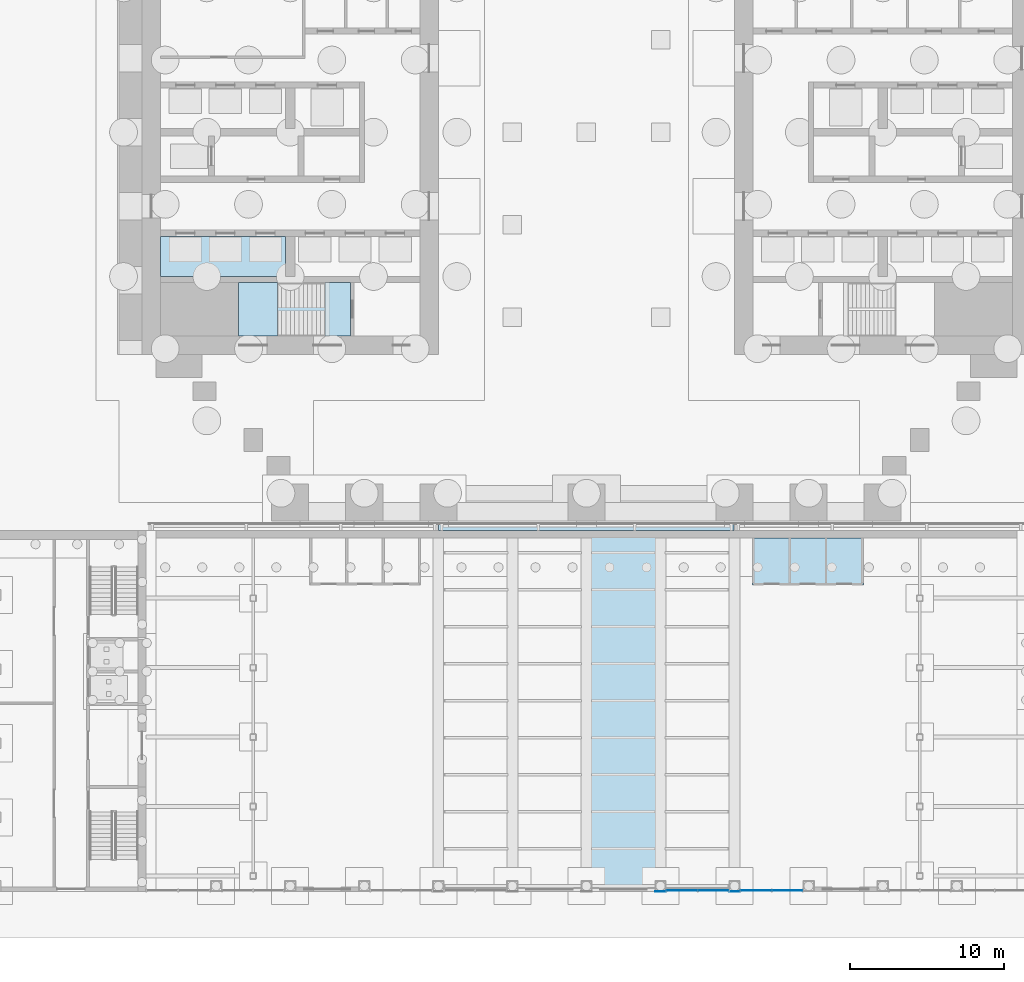
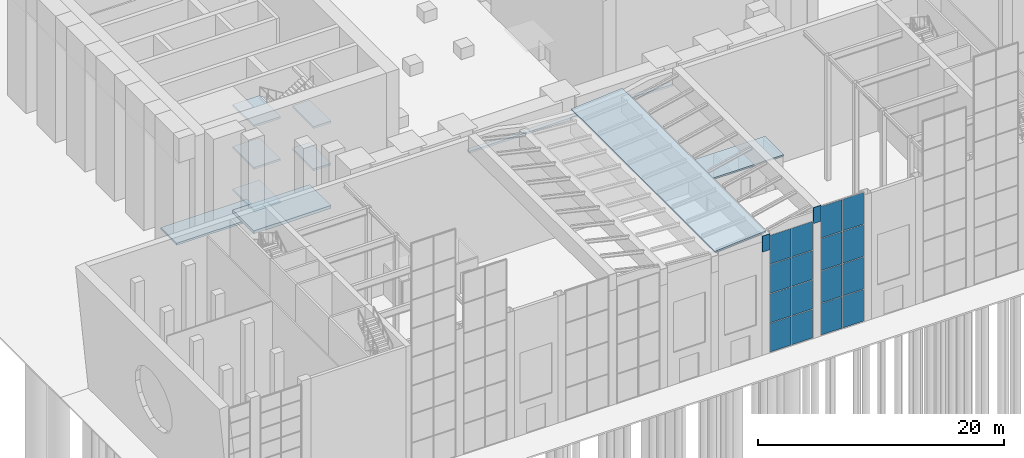
# One storey, part 41 of 58: 18 plates, 10 slabs, 3 elements without a shape of their own.
"""IFC4 building model written with IfcOpenShell, lengths in metres."""

from ifc_helpers import new_model, si_unit, direction, frame, origin, origin_2d, place, context, subcontext, project, spatial, polyline, rectangle, outline, extrude, material, layer, layer_set, type_object, element, aggregate, save


model = new_model("IFC4")

# Units and contexts
model_context = context("Model", 3, precision=1e-05, world=origin(), true_north=direction((0.0, 1.0)))
body_context = subcontext(model_context, "Body", "Model", "MODEL_VIEW")
ifc_project = project(units=[si_unit("LENGTHUNIT", "METRE"), si_unit("AREAUNIT", "SQUARE_METRE"), si_unit("VOLUMEUNIT", "CUBIC_METRE"), si_unit("PLANEANGLEUNIT", "RADIAN"), si_unit("MASSUNIT", "GRAM", prefix="KILO")], contexts=[model_context])

# Site, building, storey
site_placement = place(None, origin())
site = spatial("IfcSite", under=ifc_project, at=site_placement, CompositionType="ELEMENT")
building_placement = place(site_placement, origin())
building = spatial("IfcBuilding", under=site, at=building_placement, Name="Baori Bourse Tower", CompositionType="ELEMENT")
storey_placement = place(building_placement, origin())
storey = spatial("IfcBuildingStorey", under=building, at=storey_placement, Name="L00", CompositionType="ELEMENT", Elevation=0.0)

# Slab
ifc_material_1 = material(Name="Concrete f'c 50 MPa", Category="concrete")
ifc_layer_1 = layer(ifc_material_1, 0.300048828125)
ifc_layer_set_1 = layer_set([ifc_layer_1], Name="Core ground slab 300")
slab_type_1 = type_object("IfcSlabType", Name="Core ground slab 300", PredefinedType="BASESLAB", material=ifc_layer_set_1)
slab_1_placement = place(storey_placement, frame((0.0, 0.0, -0.300048828125)))
element("IfcSlab", 1, at=slab_1_placement, inside=storey, type_object=slab_type_1, Name="Core ground slab W01", PredefinedType="BASESLAB", context=body_context, shape_type="SweptSolid", body=[
    extrude(outline(polyline([(6.25, 14.25), (6.25, 10.800048828125), (13.5, 10.800048828125), (13.5, 14.25), (6.25, 14.25)])), origin(), (0.0, 0.0, 1.0), 0.300048828125),
])

# Stair, slabs
ifc_material_2 = material(Name="Concrete f'c 50 MPa", Category="concrete")
stair_type = type_object("IfcStairType", Name="Core stair", PredefinedType="HALF_TURN_STAIR", material=ifc_material_2)
stair_placement = place(storey_placement, origin())
stair = element("IfcStair", 2, at=stair_placement, inside=storey, type_object=stair_type, Name="L00 Stair WA", PredefinedType="HALF_TURN_STAIR")
ifc_material_3 = material(Name="Concrete f'c 50 MPa", Category="concrete")
slab_type_2 = type_object("IfcSlabType", Name="Core stair landing", PredefinedType="LANDING", material=ifc_material_3)
slab_2_placement = place(storey_placement, frame((0.0, 0.0, 1.89990234375)))
slab_2 = element("IfcSlab", 3, at=slab_2_placement, type_object=slab_type_2, Name="ST1 landing 1", PredefinedType="LANDING", context=body_context, shape_type="SweptSolid", body=[
    extrude(outline(polyline([(8.77001953125, 14.25), (6.25, 14.25), (6.25, 10.800048828125), (8.77001953125, 10.800048828125), (8.77001953125, 14.25)])), origin(), (0.0, 0.0, 1.0), 0.2001953125),
])
slab_3_placement = place(storey_placement, frame((0.0, 0.0, 4.0)))
slab_3 = element("IfcSlab", 4, at=slab_3_placement, type_object=slab_type_2, Name="ST1 landing 2", PredefinedType="LANDING", context=body_context, shape_type="SweptSolid", body=[
    extrude(outline(polyline([(13.5, 14.25), (11.85009765625, 14.25), (11.85009765625, 10.800048828125), (13.5, 10.800048828125), (13.5, 14.25)])), origin(), (0.0, 0.0, 1.0), 0.199951171875),
])
slab_4_placement = place(storey_placement, frame((0.0, 0.0, 6.10009765625)))
slab_4 = element("IfcSlab", 5, at=slab_4_placement, type_object=slab_type_2, Name="ST1 landing 3", PredefinedType="LANDING", context=body_context, shape_type="SweptSolid", body=[
    extrude(outline(polyline([(8.77001953125, 14.25), (6.25, 14.25), (6.25, 10.800048828125), (8.77001953125, 10.800048828125), (8.77001953125, 14.25)])), origin(), (0.0, 0.0, 1.0), 0.199951171875),
])
slab_5_placement = place(storey_placement, frame((0.0, 0.0, 8.199951171875)))
slab_5 = element("IfcSlab", 6, at=slab_5_placement, type_object=slab_type_2, Name="ST1 landing 4", PredefinedType="LANDING", context=body_context, shape_type="SweptSolid", body=[
    extrude(outline(polyline([(13.5, 14.25), (11.85009765625, 14.25), (11.85009765625, 10.800048828125), (13.5, 10.800048828125), (13.5, 14.25)])), origin(), (0.0, 0.0, 1.0), 0.199951171875),
])
slab_6_placement = place(storey_placement, frame((0.0, 0.0, 10.300048828125)))
slab_6 = element("IfcSlab", 7, at=slab_6_placement, type_object=slab_type_2, Name="ST1 landing 5", PredefinedType="LANDING", context=body_context, shape_type="SweptSolid", body=[
    extrude(outline(polyline([(8.77001953125, 14.25), (6.25, 14.25), (6.25, 10.800048828125), (8.77001953125, 10.800048828125), (8.77001953125, 14.25)])), origin(), (0.0, 0.0, 1.0), 0.199951171875),
])
aggregate(stair, [slab_2, slab_3, slab_4, slab_5, slab_6])

# Slab
ifc_material_4 = material(Name="Concrete f'c 40 MPa", Category="concrete")
ifc_layer_2 = layer(ifc_material_4, 0.199951171875)
ifc_layer_set_2 = layer_set([ifc_layer_2], Name="Entrance canopy slab 200")
slab_type_3 = type_object("IfcSlabType", Name="Entrance canopy slab 200", PredefinedType="ROOF", material=ifc_layer_set_2)
slab_7_placement = place(storey_placement, frame((0.0, 0.0, 10.800048828125)))
element("IfcSlab", 8, at=slab_7_placement, inside=storey, type_object=slab_type_3, Name="Canopy 2", PredefinedType="ROOF", context=body_context, shape_type="SweptSolid", body=[
    extrude(outline(polyline([(19.22509765625, -1.800048828125), (38.375, -1.800048828125), (38.375, -1.39990234375), (19.22509765625, -1.39990234375), (19.22509765625, -1.800048828125)])), origin(), (0.0, 0.0, 1.0), 0.199951171875),
])

# Plates
ifc_material_5 = material(Name="Steel A572 Gr 50", Category="steel")
ifc_layer_3 = layer(ifc_material_5, 0.030029296875)
ifc_layer_set_3 = layer_set([ifc_layer_3], Name="Girder end plate 30")
plate_type_1 = type_object("IfcPlateType", Name="Girder end plate 30", PredefinedType="SHEET", material=ifc_layer_set_3)
plate_1_placement = place(storey_placement, frame((0.0, 0.0, 10.2734375)))
element("IfcPlate", 9, at=plate_1_placement, inside=storey, type_object=plate_type_1, Name="Girder end plate", PredefinedType="SHEET", context=body_context, shape_type="SweptSolid", body=[
    extrude(outline(polyline([(33.25, -25.22998046875), (33.949951171875, -25.22998046875), (33.949951171875, -25.199951171875), (33.25, -25.199951171875), (33.25, -25.22998046875)])), origin(), (0.0, 0.0, 1.0), 1.60009765625),
])
plate_2_placement = place(storey_placement, frame((0.0, 0.0, 11.42919921875)))
element("IfcPlate", 10, at=plate_2_placement, inside=storey, type_object=plate_type_1, Name="Girder end plate", PredefinedType="SHEET", context=body_context, shape_type="SweptSolid", body=[
    extrude(outline(polyline([(38.050048828125, -25.22998046875), (38.75, -25.22998046875), (38.75, -25.199951171875), (38.050048828125, -25.199951171875), (38.050048828125, -25.22998046875)])), origin(), (0.0, 0.0, 1.0), 1.60009765625),
])

# Slabs
ifc_material_6 = material(Name="Concrete f'c 40 MPa", Category="concrete")
ifc_layer_4 = layer(ifc_material_6, 0.14990234375)
ifc_layer_set_4 = layer_set([ifc_layer_4], Name="Hall roof deck 150")
slab_type_4 = type_object("IfcSlabType", Name="Hall roof deck 150", PredefinedType="ROOF", material=ifc_layer_set_4)
slab_8_placement = place(storey_placement, frame((28.800048828125, -25.199951171875, 11.89990234375), z_axis=(-0.075668707402, 0.0, 0.997133013554), x_axis=(0.997133013554, 0.0, 0.075668707402)))
element("IfcSlab", 11, at=slab_8_placement, inside=storey, type_object=slab_type_4, Name="wing/L00/deck/002", PredefinedType="ROOF", context=body_context, shape_type="SweptSolid", body=[
    extrude(outline(polyline([(0.0, 0.0), (4.813850071029578, 0.0), (4.813850071029578, 23.39990234375), (0.0, 23.39990234375), (0.0, 0.0)])), origin(), (0.0, 0.0, -1.0), 0.14990234375),
])
ifc_material_7 = material(Name="Concrete f'c 40 MPa", Category="concrete")
ifc_layer_5 = layer(ifc_material_7, 0.199951171875)
ifc_layer_set_5 = layer_set([ifc_layer_5], Name="Lift pit slab 200")
slab_type_5 = type_object("IfcSlabType", Name="Lift pit slab 200", PredefinedType="BASESLAB", material=ifc_layer_set_5)
slab_9_placement = place(storey_placement, frame((0.0, 0.0, -2.0)))
element("IfcSlab", 12, at=slab_9_placement, inside=storey, type_object=slab_type_5, Name="Lift pit floor W01", PredefinedType="BASESLAB", context=body_context, shape_type="SweptSolid", body=[
    extrude(outline(polyline([(9.300048828125, 14.64990234375), (9.300048828125, 17.25), (1.199951171875, 17.25), (1.199951171875, 14.64990234375), (9.300048828125, 14.64990234375)])), origin(), (0.0, 0.0, 1.0), 0.199951171875),
])
ifc_material_8 = material(Name="Concrete f'c 40 MPa", Category="concrete")
ifc_layer_6 = layer(ifc_material_8, 0.14990234375)
ifc_layer_set_6 = layer_set([ifc_layer_6], Name="Toilet pod slab 150")
slab_type_6 = type_object("IfcSlabType", Name="Toilet pod slab 150", PredefinedType="FLOOR", material=ifc_layer_set_6)
slab_10_placement = place(storey_placement, frame((0.0, 0.0, 3.050048828125)))
element("IfcSlab", 13, at=slab_10_placement, inside=storey, type_object=slab_type_6, Name="wing/L00/podslab/002", PredefinedType="FLOOR", context=body_context, shape_type="SweptSolid", body=[
    extrude(outline(polyline([(46.75, -2.300048828125), (39.550048828125, -2.300048828125), (39.550048828125, -5.35009765625), (46.75, -5.35009765625), (46.75, -2.300048828125)])), origin(), (0.0, 0.0, 1.0), 0.14990234375),
])

# Curtain wall, plates
ifc_material_9 = material(Name="Pale anodised aluminium", Category="aluminium")
ifc_layer_7 = layer(ifc_material_9, 0.10009765625)
ifc_layer_set_7 = layer_set([ifc_layer_7], Name="Wing curtain wall")
curtain_wall_type = type_object("IfcCurtainWallType", Name="Wing curtain wall", PredefinedType="NOTDEFINED", material=ifc_layer_set_7)
curtain_wall_1_placement = place(storey_placement, origin())
curtain_wall_1 = element("IfcCurtainWall", 14, at=curtain_wall_1_placement, inside=storey, type_object=curtain_wall_type, Name="wing/L00/hallcw/005", PredefinedType="NOTDEFINED")
ifc_material_10 = material(Name="Clear glass", Category="glass")
ifc_layer_8 = layer(ifc_material_10, 0.028076171875)
ifc_layer_set_8 = layer_set([ifc_layer_8], Name="Wing glass panel 28")
plate_type_2 = type_object("IfcPlateType", Name="Wing glass panel 28", PredefinedType="CURTAIN_PANEL", material=ifc_layer_set_8)
plate_3_placement = place(storey_placement, frame((34.989990234375, -25.14990234375, 0.06005859375), z_axis=(0.0, 0.0, 1.0), x_axis=(1.0, 0.0, 0.0)))
plate_3 = element("IfcPlate", 15, at=plate_3_placement, type_object=plate_type_2, Name="X12 panel 1.1", PredefinedType="CURTAIN_PANEL", context=body_context, shape_type="SweptSolid", body=[
    extrude(rectangle(XDim=1.9599609375, YDim=0.028076171875, at=origin_2d()), origin(), (0.0, 0.0, 1.0), 2.8349609375),
])
plate_4_placement = place(storey_placement, frame((34.989990234375, -25.14990234375, 2.955078125), z_axis=(0.0, 0.0, 1.0), x_axis=(1.0, 0.0, 0.0)))
plate_4 = element("IfcPlate", 16, at=plate_4_placement, type_object=plate_type_2, Name="X12 panel 1.2", PredefinedType="CURTAIN_PANEL", context=body_context, shape_type="SweptSolid", body=[
    extrude(rectangle(XDim=1.9599609375, YDim=0.028076171875, at=origin_2d()), origin(), (0.0, 0.0, 1.0), 2.864990234375),
])
plate_5_placement = place(storey_placement, frame((34.989990234375, -25.14990234375, 5.8798828125), z_axis=(0.0, 0.0, 1.0), x_axis=(1.0, 0.0, 0.0)))
plate_5 = element("IfcPlate", 17, at=plate_5_placement, type_object=plate_type_2, Name="X12 panel 1.3", PredefinedType="CURTAIN_PANEL", context=body_context, shape_type="SweptSolid", body=[
    extrude(rectangle(XDim=1.9599609375, YDim=0.028076171875, at=origin_2d()), origin(), (0.0, 0.0, 1.0), 2.864990234375),
])
plate_6_placement = place(storey_placement, frame((34.989990234375, -25.14990234375, 8.804931640625), z_axis=(0.0, 0.0, 1.0), x_axis=(1.0, 0.0, 0.0)))
plate_6 = element("IfcPlate", 18, at=plate_6_placement, type_object=plate_type_2, Name="X12 panel 1.4", PredefinedType="CURTAIN_PANEL", context=body_context, shape_type="SweptSolid", body=[
    extrude(rectangle(XDim=1.9599609375, YDim=0.028076171875, at=origin_2d()), origin(), (0.0, 0.0, 1.0), 2.8349609375),
])
plate_7_placement = place(storey_placement, frame((37.010009765625, -25.14990234375, 0.06005859375), z_axis=(0.0, 0.0, 1.0), x_axis=(1.0, 0.0, 0.0)))
plate_7 = element("IfcPlate", 19, at=plate_7_placement, type_object=plate_type_2, Name="X12 panel 2.1", PredefinedType="CURTAIN_PANEL", context=body_context, shape_type="SweptSolid", body=[
    extrude(rectangle(XDim=1.9599609375, YDim=0.028076171875, at=origin_2d()), origin(), (0.0, 0.0, 1.0), 2.8349609375),
])
plate_8_placement = place(storey_placement, frame((37.010009765625, -25.14990234375, 2.955078125), z_axis=(0.0, 0.0, 1.0), x_axis=(1.0, 0.0, 0.0)))
plate_8 = element("IfcPlate", 20, at=plate_8_placement, type_object=plate_type_2, Name="X12 panel 2.2", PredefinedType="CURTAIN_PANEL", context=body_context, shape_type="SweptSolid", body=[
    extrude(rectangle(XDim=1.9599609375, YDim=0.028076171875, at=origin_2d()), origin(), (0.0, 0.0, 1.0), 2.864990234375),
])
plate_9_placement = place(storey_placement, frame((37.010009765625, -25.14990234375, 5.8798828125), z_axis=(0.0, 0.0, 1.0), x_axis=(1.0, 0.0, 0.0)))
plate_9 = element("IfcPlate", 21, at=plate_9_placement, type_object=plate_type_2, Name="X12 panel 2.3", PredefinedType="CURTAIN_PANEL", context=body_context, shape_type="SweptSolid", body=[
    extrude(rectangle(XDim=1.9599609375, YDim=0.028076171875, at=origin_2d()), origin(), (0.0, 0.0, 1.0), 2.864990234375),
])
plate_10_placement = place(storey_placement, frame((37.010009765625, -25.14990234375, 8.804931640625), z_axis=(0.0, 0.0, 1.0), x_axis=(1.0, 0.0, 0.0)))
plate_10 = element("IfcPlate", 22, at=plate_10_placement, type_object=plate_type_2, Name="X12 panel 2.4", PredefinedType="CURTAIN_PANEL", context=body_context, shape_type="SweptSolid", body=[
    extrude(rectangle(XDim=1.9599609375, YDim=0.028076171875, at=origin_2d()), origin(), (0.0, 0.0, 1.0), 2.8349609375),
])
aggregate(curtain_wall_1, [plate_3, plate_4, plate_5, plate_6, plate_7, plate_8, plate_9, plate_10])

curtain_wall_2_placement = place(storey_placement, origin())
curtain_wall_2 = element("IfcCurtainWall", 23, at=curtain_wall_2_placement, inside=storey, type_object=curtain_wall_type, Name="wing/L00/hallcw/006", PredefinedType="NOTDEFINED")
plate_11_placement = place(storey_placement, frame((39.7900390625, -25.14990234375, 0.06005859375), z_axis=(0.0, 0.0, 1.0), x_axis=(1.0, 0.0, 0.0)))
plate_11 = element("IfcPlate", 24, at=plate_11_placement, type_object=plate_type_2, Name="X12 panel 1.1", PredefinedType="CURTAIN_PANEL", context=body_context, shape_type="SweptSolid", body=[
    extrude(rectangle(XDim=1.9599609375, YDim=0.028076171875, at=origin_2d()), origin(), (0.0, 0.0, 1.0), 3.135009765625),
])
plate_12_placement = place(storey_placement, frame((39.7900390625, -25.14990234375, 3.2548828125), z_axis=(0.0, 0.0, 1.0), x_axis=(1.0, 0.0, 0.0)))
plate_12 = element("IfcPlate", 25, at=plate_12_placement, type_object=plate_type_2, Name="X12 panel 1.2", PredefinedType="CURTAIN_PANEL", context=body_context, shape_type="SweptSolid", body=[
    extrude(rectangle(XDim=1.9599609375, YDim=0.028076171875, at=origin_2d()), origin(), (0.0, 0.0, 1.0), 3.1650390625),
])
plate_13_placement = place(storey_placement, frame((39.7900390625, -25.14990234375, 6.47998046875), z_axis=(0.0, 0.0, 1.0), x_axis=(1.0, 0.0, 0.0)))
plate_13 = element("IfcPlate", 26, at=plate_13_placement, type_object=plate_type_2, Name="X12 panel 1.3", PredefinedType="CURTAIN_PANEL", context=body_context, shape_type="SweptSolid", body=[
    extrude(rectangle(XDim=1.9599609375, YDim=0.028076171875, at=origin_2d()), origin(), (0.0, 0.0, 1.0), 3.1650390625),
])
plate_14_placement = place(storey_placement, frame((39.7900390625, -25.14990234375, 9.705078125), z_axis=(0.0, 0.0, 1.0), x_axis=(1.0, 0.0, 0.0)))
plate_14 = element("IfcPlate", 27, at=plate_14_placement, type_object=plate_type_2, Name="X12 panel 1.4", PredefinedType="CURTAIN_PANEL", context=body_context, shape_type="SweptSolid", body=[
    extrude(rectangle(XDim=1.9599609375, YDim=0.028076171875, at=origin_2d()), origin(), (0.0, 0.0, 1.0), 3.135009765625),
])
plate_15_placement = place(storey_placement, frame((41.81005859375, -25.14990234375, 0.06005859375), z_axis=(0.0, 0.0, 1.0), x_axis=(1.0, 0.0, 0.0)))
plate_15 = element("IfcPlate", 28, at=plate_15_placement, type_object=plate_type_2, Name="X12 panel 2.1", PredefinedType="CURTAIN_PANEL", context=body_context, shape_type="SweptSolid", body=[
    extrude(rectangle(XDim=1.9599609375, YDim=0.028076171875, at=origin_2d()), origin(), (0.0, 0.0, 1.0), 3.135009765625),
])
plate_16_placement = place(storey_placement, frame((41.81005859375, -25.14990234375, 3.2548828125), z_axis=(0.0, 0.0, 1.0), x_axis=(1.0, 0.0, 0.0)))
plate_16 = element("IfcPlate", 29, at=plate_16_placement, type_object=plate_type_2, Name="X12 panel 2.2", PredefinedType="CURTAIN_PANEL", context=body_context, shape_type="SweptSolid", body=[
    extrude(rectangle(XDim=1.9599609375, YDim=0.028076171875, at=origin_2d()), origin(), (0.0, 0.0, 1.0), 3.1650390625),
])
plate_17_placement = place(storey_placement, frame((41.81005859375, -25.14990234375, 6.47998046875), z_axis=(0.0, 0.0, 1.0), x_axis=(1.0, 0.0, 0.0)))
plate_17 = element("IfcPlate", 30, at=plate_17_placement, type_object=plate_type_2, Name="X12 panel 2.3", PredefinedType="CURTAIN_PANEL", context=body_context, shape_type="SweptSolid", body=[
    extrude(rectangle(XDim=1.9599609375, YDim=0.028076171875, at=origin_2d()), origin(), (0.0, 0.0, 1.0), 3.1650390625),
])
plate_18_placement = place(storey_placement, frame((41.81005859375, -25.14990234375, 9.705078125), z_axis=(0.0, 0.0, 1.0), x_axis=(1.0, 0.0, 0.0)))
plate_18 = element("IfcPlate", 31, at=plate_18_placement, type_object=plate_type_2, Name="X12 panel 2.4", PredefinedType="CURTAIN_PANEL", context=body_context, shape_type="SweptSolid", body=[
    extrude(rectangle(XDim=1.9599609375, YDim=0.028076171875, at=origin_2d()), origin(), (0.0, 0.0, 1.0), 3.135009765625),
])
aggregate(curtain_wall_2, [plate_11, plate_12, plate_13, plate_14, plate_15, plate_16, plate_17, plate_18])

save(model, "model.ifc")
